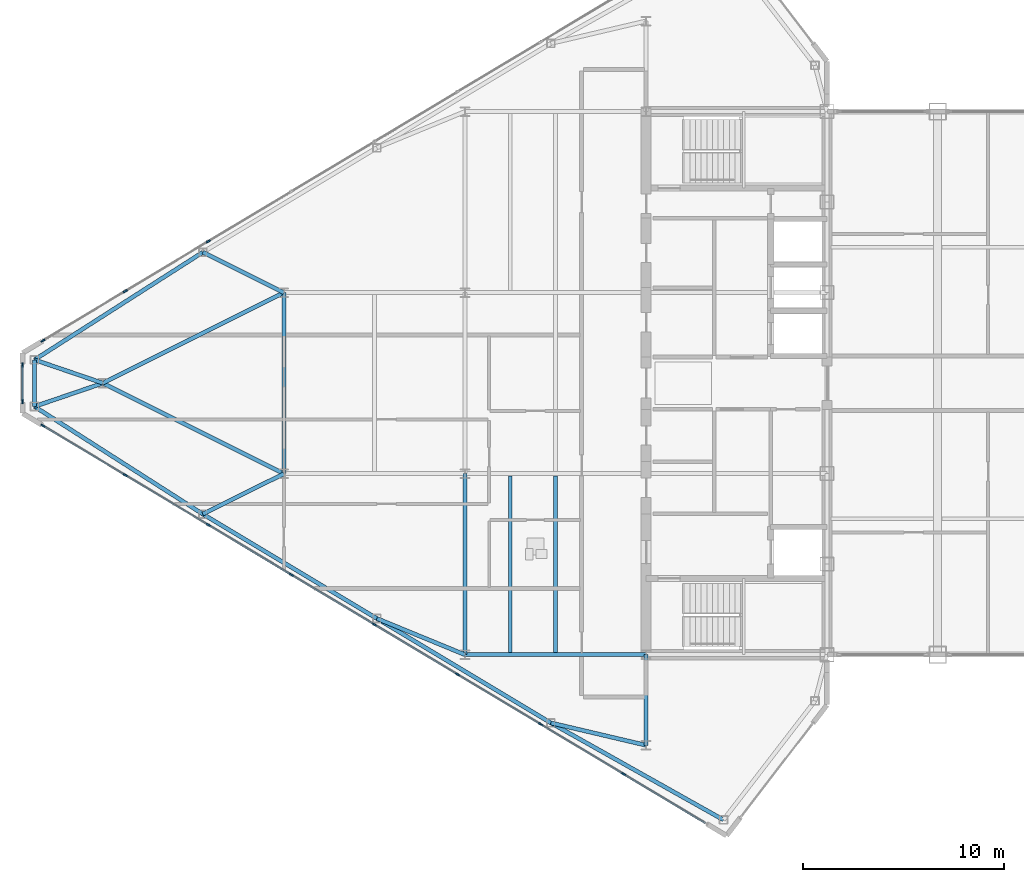
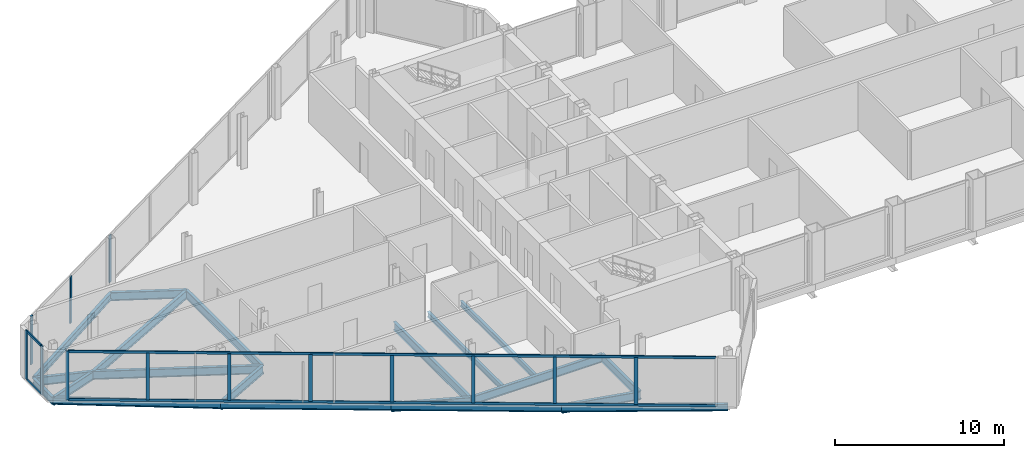
# One storey, part 8 of 29: 20 beams, 17 members, 3 elements without a shape of their own.
"""IFC4 building model written with IfcOpenShell, lengths in metres."""

from ifc_helpers import new_model, si_unit, direction, frame, origin, origin_2d, place, context, subcontext, project, spatial, rectangle, i_section, extrude, source, transform, mapped, material, layer, layer_set, material_profile, profile_set, type_object, type_shapes, element, aggregate, save


model = new_model("IFC4")

# Units and contexts
model_context = context("Model", 3, precision=1e-05, world=origin(), true_north=direction((0.0, 1.0)))
body_context = subcontext(model_context, "Body", "Model", "MODEL_VIEW")
ifc_project = project(units=[si_unit("LENGTHUNIT", "METRE"), si_unit("AREAUNIT", "SQUARE_METRE"), si_unit("VOLUMEUNIT", "CUBIC_METRE"), si_unit("PLANEANGLEUNIT", "RADIAN"), si_unit("MASSUNIT", "GRAM", prefix="KILO")], contexts=[model_context])

# Site, building, storey
site_placement = place(None, origin())
site = spatial("IfcSite", under=ifc_project, at=site_placement, CompositionType="ELEMENT")
building_placement = place(site_placement, origin())
building = spatial("IfcBuilding", under=site, at=building_placement, Name="Seokmaru Belvedere", CompositionType="ELEMENT")
storey_placement = place(building_placement, frame((0.0, 0.0, 254.39990234375)))
storey = spatial("IfcBuildingStorey", under=building, at=storey_placement, Name="L67", CompositionType="ELEMENT", Elevation=254.39990234375)

# Beams
ifc_material_1 = material(Name="Steel SM355 (355 MPa)", Category="steel")
ifc_material_profile_1 = material_profile(ifc_material_1, i_section(OverallWidth=0.199951171875, OverallDepth=0.60009765625, WebThickness=0.010986328125, FlangeThickness=0.01708984375, at=origin_2d()), Name="H-600x200x11x17")
ifc_profile_set_1 = profile_set([ifc_material_profile_1], Name="Steel SM355 (355 MPa)")
beam_type_1 = type_object("IfcBeamType", Name="Primary Floor Girder H-600", PredefinedType="BEAM", material=ifc_profile_set_1)
shared_shape_1 = source(origin(), body_context, "Body", "SweptSolid", [
    extrude(i_section(OverallWidth=0.199951171875, OverallDepth=0.60009765625, WebThickness=0.010986328125, FlangeThickness=0.01708984375, at=origin_2d()), origin(), (0.0, 0.0, 1.0), 9.0),
])
for number, where, z_axis, x_axis, name in (
    (1, (-45.5, -13.5, -0.52001953125), (0.0, 1.0, 0.0), (-1.0, 0.0, 0.0), "L67 W Interior Grid Girder 1"),
    (2, (-45.5, -13.5, -0.52001953125), (1.0, 0.0, 0.0), (0.0, 1.0, 0.0), "L67 W Wing Primary Girder 1"),
    (3, (-54.5, -4.5, -0.52001953125), (0.0, 1.0, 0.0), (-1.0, 0.0, 0.0), "L67 W Apex Frame Girder"),
):
    element("IfcBeam", number, at=place(storey_placement, frame(where, z_axis=z_axis, x_axis=x_axis)), inside=storey, type_object=beam_type_1, Name=name, PredefinedType="BEAM", context=body_context, shape_type="MappedRepresentation", body=[
        mapped(shared_shape_1, transform((0.0, 0.0, 0.0), scale=1.0)),
    ])
shared_shape_2 = source(origin(), body_context, "Body", "SweptSolid", [
    extrude(i_section(OverallWidth=0.199951171875, OverallDepth=0.60009765625, WebThickness=0.010986328125, FlangeThickness=0.01708984375, at=origin_2d()), origin(), (0.0, 0.0, 1.0), 10.062255859375),
])
for number, where, z_axis, x_axis, name in (
    (4, (-54.5, -4.5, -0.52001953125), (-0.894427191, 0.4472135955, 0.0), (-0.4472135955, -0.894427191, 0.0), "L67 W Apex Converging Girder 1"),
    (5, (-54.5, 4.5, -0.52001953125), (-0.894427191, -0.4472135955, 0.0), (0.4472135955, -0.894427191, 0.0), "L67 W Apex Converging Girder 2"),
):
    element("IfcBeam", number, at=place(storey_placement, frame(where, z_axis=z_axis, x_axis=x_axis)), inside=storey, type_object=beam_type_1, Name=name, PredefinedType="BEAM", context=body_context, shape_type="MappedRepresentation", body=[
        mapped(shared_shape_2, transform((0.0, 0.0, 0.0), scale=1.0)),
    ])
ifc_material_profile_2 = material_profile(ifc_material_1, i_section(OverallWidth=0.18505859375, OverallDepth=0.389892578125, WebThickness=0.008056640625, FlangeThickness=0.011962890625, at=origin_2d()), Name="H-390x185x8x12")
ifc_profile_set_2 = profile_set([ifc_material_profile_2], Name="Steel SM355 (355 MPa)")
beam_type_2 = type_object("IfcBeamType", Name="Secondary Floor Joist H-350", PredefinedType="JOIST", material=ifc_profile_set_2)
shared_shape_3 = source(origin(), body_context, "Body", "SweptSolid", [
    extrude(i_section(OverallWidth=0.18505859375, OverallDepth=0.389892578125, WebThickness=0.008056640625, FlangeThickness=0.011962890625, at=origin_2d()), origin(), (0.0, 0.0, 1.0), 8.7900390625),
])
type_shapes(beam_type_2, [shared_shape_3])
for number, where, z_axis, x_axis, name in (
    (6, (-43.25, -13.39501953125, -0.414794921875), (0.0, 1.0, 0.0), (-1.0, 0.0, 0.0), "L67 W Wing Inner Secondary Joist 1"),
    (7, (-41.0, -13.39501953125, -0.414794921875), (0.0, 1.0, 0.0), (-1.0, 0.0, 0.0), "L67 W Secondary Floor Joist 1"),
):
    element("IfcBeam", number, at=place(storey_placement, frame(where, z_axis=z_axis, x_axis=x_axis)), inside=storey, type_object=beam_type_2, Name=name, PredefinedType="JOIST", context=body_context, shape_type="MappedRepresentation", body=[
        mapped(shared_shape_3, transform((0.0, 0.0, 0.0), scale=1.0)),
    ])
shared_shape_4 = source(origin(), body_context, "Body", "SweptSolid", [
    extrude(i_section(OverallWidth=0.199951171875, OverallDepth=0.60009765625, WebThickness=0.010986328125, FlangeThickness=0.01708984375, at=origin_2d()), origin(), (0.0, 0.0, 1.0), 4.5),
])
beam_1_placement = place(storey_placement, frame((-36.5, -18.0, -0.52001953125), z_axis=(0.0, 1.0, 0.0), x_axis=(-1.0, 0.0, 0.0)))
element("IfcBeam", 8, at=beam_1_placement, inside=storey, type_object=beam_type_1, Name="L67 W Core Shoulder Girder S", PredefinedType="BEAM", context=body_context, shape_type="MappedRepresentation", body=[
    mapped(shared_shape_4, transform((0.0, 0.0, 0.0), scale=1.0)),
])
ifc_material_profile_3 = material_profile(ifc_material_1, i_section(OverallWidth=0.199951171875, OverallDepth=0.5, WebThickness=0.010009765625, FlangeThickness=0.01611328125, at=origin_2d()), Name="H-500x200x10x16")
ifc_profile_set_3 = profile_set([ifc_material_profile_3], Name="Steel SM355 (355 MPa)")
beam_type_3 = type_object("IfcBeamType", Name="Perimeter Spandrel Beam H-500", PredefinedType="SPANDREL", material=ifc_profile_set_3)
shared_shape_5 = source(origin(), body_context, "Body", "SweptSolid", [
    extrude(i_section(OverallWidth=0.199951171875, OverallDepth=0.5, WebThickness=0.010009765625, FlangeThickness=0.01611328125, at=origin_2d()), origin(), (0.0, 0.0, 1.0), 9.842041015625),
])
beam_2_placement = place(storey_placement, frame((-32.649658203125, -21.71044921875, -0.469970703125), z_axis=(-0.871782151818, 0.489893743349, 0.0), x_axis=(-0.489893743349, -0.871782151818, 0.0)))
element("IfcBeam", 9, at=beam_2_placement, inside=storey, type_object=beam_type_3, Name="L67 W Faceted Flank Spandrel S-1", PredefinedType="SPANDREL", context=body_context, shape_type="MappedRepresentation", body=[
    mapped(shared_shape_5, transform((0.0, 0.0, 0.0), scale=1.0)),
])
shared_shape_6 = source(origin(), body_context, "Body", "SweptSolid", [
    extrude(i_section(OverallWidth=0.199951171875, OverallDepth=0.5, WebThickness=0.010009765625, FlangeThickness=0.01611328125, at=origin_2d()), origin(), (0.0, 0.0, 1.0), 10.087646484375),
])
for number, where, z_axis, x_axis, name in (
    (10, (-41.229736328125, -16.888916015625, -0.469970703125), (-0.857499332045, 0.514485078056, 0.0), (-0.514485078056, -0.857499332045, 0.0), "L67 W Faceted Flank Spandrel S-2"),
    (11, (-49.8798828125, -11.698974609375, -0.469970703125), (-0.857488654804, 0.514502873542, 0.0), (-0.514502873542, -0.857488654804, 0.0), "L67 W Faceted Flank Spandrel S-3"),
):
    element("IfcBeam", number, at=place(storey_placement, frame(where, z_axis=z_axis, x_axis=x_axis)), inside=storey, type_object=beam_type_3, Name=name, PredefinedType="SPANDREL", context=body_context, shape_type="MappedRepresentation", body=[
        mapped(shared_shape_6, transform((0.0, 0.0, 0.0), scale=1.0)),
    ])
shared_shape_7 = source(origin(), body_context, "Body", "SweptSolid", [
    extrude(i_section(OverallWidth=0.199951171875, OverallDepth=0.5, WebThickness=0.010009765625, FlangeThickness=0.01611328125, at=origin_2d()), origin(), (0.0, 0.0, 1.0), 9.932861328125),
])
for number, where, z_axis, x_axis, name in (
    (12, (-58.530029296875, -6.5087890625, -0.469970703125), (-0.842651960357, 0.538458609093, 0.0), (-0.538458609093, -0.842651960357, 0.0), "L67 W Faceted Flank Spandrel S-4"),
    (13, (-58.530029296875, 6.5087890625, -0.469970703125), (-0.842651960357, -0.538458609093, 0.0), (0.538458609093, -0.842651960357, 0.0), "L67 W Faceted Flank Spandrel N-4"),
):
    element("IfcBeam", number, at=place(storey_placement, frame(where, z_axis=z_axis, x_axis=x_axis)), inside=storey, type_object=beam_type_3, Name=name, PredefinedType="SPANDREL", context=body_context, shape_type="MappedRepresentation", body=[
        mapped(shared_shape_7, transform((0.0, 0.0, 0.0), scale=1.0)),
    ])
shared_shape_8 = source(origin(), body_context, "Body", "SweptSolid", [
    extrude(i_section(OverallWidth=0.199951171875, OverallDepth=0.5, WebThickness=0.010009765625, FlangeThickness=0.01611328125, at=origin_2d()), origin(), (0.0, 0.0, 1.0), 2.32080078125),
])
type_shapes(beam_type_3, [shared_shape_5, shared_shape_6, shared_shape_7, shared_shape_8])
beam_3_placement = place(storey_placement, frame((-66.89990234375, -1.160400390625, -0.469970703125), z_axis=(0.0, 1.0, 0.0), x_axis=(-1.0, 0.0, 0.0)))
element("IfcBeam", 14, at=beam_3_placement, inside=storey, type_object=beam_type_3, Name="L67 W Faceted Apex Spandrel", PredefinedType="SPANDREL", context=body_context, shape_type="MappedRepresentation", body=[
    mapped(shared_shape_8, transform((0.0, 0.0, 0.0), scale=1.0)),
])
shared_shape_9 = source(origin(), body_context, "Body", "SweptSolid", [
    extrude(i_section(OverallWidth=0.199951171875, OverallDepth=0.60009765625, WebThickness=0.010986328125, FlangeThickness=0.01708984375, at=origin_2d()), origin(), (0.0, 0.0, 1.0), 4.8583984375),
])
beam_4_placement = place(storey_placement, frame((-41.229736328125, -16.888916015625, -0.52001953125), z_axis=(0.97349948295, -0.228689214211, 0.0), x_axis=(0.228689214211, 0.97349948295, 0.0)))
element("IfcBeam", 15, at=beam_4_placement, inside=storey, type_object=beam_type_1, Name="L67 W Flank Radial Floor Girder S-1", PredefinedType="BEAM", context=body_context, shape_type="MappedRepresentation", body=[
    mapped(shared_shape_9, transform((0.0, 0.0, 0.0), scale=1.0)),
])
shared_shape_10 = source(origin(), body_context, "Body", "SweptSolid", [
    extrude(i_section(OverallWidth=0.199951171875, OverallDepth=0.60009765625, WebThickness=0.010986328125, FlangeThickness=0.01708984375, at=origin_2d()), origin(), (0.0, 0.0, 1.0), 4.73583984375),
])
beam_5_placement = place(storey_placement, frame((-49.8798828125, -11.698974609375, -0.52001953125), z_axis=(0.924860562953, -0.380306375301, 0.0), x_axis=(0.380306375301, 0.924860562953, 0.0)))
element("IfcBeam", 16, at=beam_5_placement, inside=storey, type_object=beam_type_1, Name="L67 W Flank Radial Floor Girder S-2", PredefinedType="BEAM", context=body_context, shape_type="MappedRepresentation", body=[
    mapped(shared_shape_10, transform((0.0, 0.0, 0.0), scale=1.0)),
])
shared_shape_11 = source(origin(), body_context, "Body", "SweptSolid", [
    extrude(i_section(OverallWidth=0.199951171875, OverallDepth=0.60009765625, WebThickness=0.010986328125, FlangeThickness=0.01708984375, at=origin_2d()), origin(), (0.0, 0.0, 1.0), 4.5029296875),
])
for number, where, z_axis, x_axis, name in (
    (17, (-58.530029296875, -6.5087890625, -0.52001953125), (0.894979532585, 0.446107202648, 0.0), (-0.446107202648, 0.894979532585, 0.0), "L67 W Flank Radial Floor Girder S-3"),
    (18, (-58.530029296875, 6.5087890625, -0.52001953125), (0.894979532585, -0.446107202648, 0.0), (0.446107202648, 0.894979532585, 0.0), "L67 W Flank Radial Floor Girder N-3"),
):
    element("IfcBeam", number, at=place(storey_placement, frame(where, z_axis=z_axis, x_axis=x_axis)), inside=storey, type_object=beam_type_1, Name=name, PredefinedType="BEAM", context=body_context, shape_type="MappedRepresentation", body=[
        mapped(shared_shape_11, transform((0.0, 0.0, 0.0), scale=1.0)),
    ])
shared_shape_12 = source(origin(), body_context, "Body", "SweptSolid", [
    extrude(i_section(OverallWidth=0.199951171875, OverallDepth=0.60009765625, WebThickness=0.010986328125, FlangeThickness=0.01708984375, at=origin_2d()), origin(), (0.0, 0.0, 1.0), 3.592529296875),
])
type_shapes(beam_type_1, [shared_shape_1, shared_shape_2, shared_shape_4, shared_shape_9, shared_shape_10, shared_shape_11, shared_shape_12])
for number, where, z_axis, x_axis, name in (
    (19, (-66.89990234375, -1.160400390625, -0.52001953125), (0.946395973048, 0.323008764893, 0.0), (-0.323008764893, 0.946395973048, 0.0), "L67 W Apex Radial Floor Girder 1"),
    (20, (-66.89990234375, 1.160400390625, -0.52001953125), (0.946395973048, -0.323008764893, 0.0), (0.323008764893, 0.946395973048, 0.0), "L67 W Apex Radial Floor Girder 2"),
):
    element("IfcBeam", number, at=place(storey_placement, frame(where, z_axis=z_axis, x_axis=x_axis)), inside=storey, type_object=beam_type_1, Name=name, PredefinedType="BEAM", context=body_context, shape_type="MappedRepresentation", body=[
        mapped(shared_shape_12, transform((0.0, 0.0, 0.0), scale=1.0)),
    ])

# Curtain wall, members
ifc_material_2 = material(Name="Bronze Triple Insulating Glass", Category="glass")
ifc_layer = layer(ifc_material_2, 0.219970703125)
ifc_layer_set = layer_set([ifc_layer], Name="Bronze Triple Insulating Glass")
curtain_wall_type = type_object("IfcCurtainWallType", Name="Sky-Gate Bridge Panorama Curtain Wall System CW-6", PredefinedType="NOTDEFINED", material=ifc_layer_set)
curtain_wall_1_placement = place(storey_placement, origin())
curtain_wall_1 = element("IfcCurtainWall", 21, at=curtain_wall_1_placement, inside=storey, type_object=curtain_wall_type, Name="L67 Curtain Wall WF5", PredefinedType="NOTDEFINED")
ifc_material_3 = material(Name="Anodised Bronze Aluminium", Category="aluminium")
ifc_material_profile_4 = material_profile(ifc_material_3, rectangle(XDim=0.074951171875, YDim=0.179931640625, at=origin_2d()), Name="CW-T-75x180")
ifc_profile_set_4 = profile_set([ifc_material_profile_4], Name="Anodised Bronze Aluminium")
member_type_1 = type_object("IfcMemberType", Name="Bronze Unitised Transom 75x180", PredefinedType="USERDEFINED", material=ifc_profile_set_4)
shared_shape_13 = source(origin(), body_context, "Body", "SweptSolid", [
    extrude(rectangle(XDim=0.074951171875, YDim=0.179931640625, at=origin_2d()), origin(), (0.0, 0.0, 1.0), 38.356689453125),
])
member_1_placement = place(storey_placement, frame((-66.4453125, -2.1328125, 0.03759765625), z_axis=(0.857492925713, -0.514495755428, 0.0), x_axis=(0.514495755428, 0.857492925713, 0.0)))
member_1 = element("IfcMember", 22, at=member_1_placement, type_object=member_type_1, Name="CW:L67:WF5 Continuous Transom 1", ObjectType="TRANSOM", PredefinedType="USERDEFINED", context=body_context, shape_type="MappedRepresentation", body=[
    mapped(shared_shape_13, transform((0.0, 0.0, 0.0), scale=1.0)),
])
member_2_placement = place(storey_placement, frame((-66.4453125, -2.1328125, 3.49267578125), z_axis=(0.857492925713, -0.514495755428, 0.0), x_axis=(0.514495755428, 0.857492925713, 0.0)))
member_2 = element("IfcMember", 23, at=member_2_placement, type_object=member_type_1, Name="CW:L67:WF5 Continuous Transom 2", ObjectType="TRANSOM", PredefinedType="USERDEFINED", context=body_context, shape_type="MappedRepresentation", body=[
    mapped(shared_shape_13, transform((0.0, 0.0, 0.0), scale=1.0)),
])

curtain_wall_2_placement = place(storey_placement, origin())
curtain_wall_2 = element("IfcCurtainWall", 24, at=curtain_wall_2_placement, inside=storey, type_object=curtain_wall_type, Name="L67 Curtain Wall WF4", PredefinedType="NOTDEFINED")
shared_shape_14 = source(origin(), body_context, "Body", "SweptSolid", [
    extrude(rectangle(XDim=0.074951171875, YDim=0.179931640625, at=origin_2d()), origin(), (0.0, 0.0, 1.0), 1.740234375),
])
type_shapes(member_type_1, [shared_shape_13, shared_shape_14])
member_3_placement = place(storey_placement, frame((-67.5, 0.8701171875, 0.03759765625), z_axis=(0.0, -1.0, 0.0), x_axis=(1.0, 0.0, 0.0)))
member_3 = element("IfcMember", 25, at=member_3_placement, type_object=member_type_1, Name="CW:L67:WF4 Continuous Transom 1", ObjectType="TRANSOM", PredefinedType="USERDEFINED", context=body_context, shape_type="MappedRepresentation", body=[
    mapped(shared_shape_14, transform((0.0, 0.0, 0.0), scale=1.0)),
])
member_4_placement = place(storey_placement, frame((-67.5, 0.8701171875, 3.49267578125), z_axis=(0.0, -1.0, 0.0), x_axis=(1.0, 0.0, 0.0)))
member_4 = element("IfcMember", 26, at=member_4_placement, type_object=member_type_1, Name="CW:L67:WF4 Continuous Transom 2", ObjectType="TRANSOM", PredefinedType="USERDEFINED", context=body_context, shape_type="MappedRepresentation", body=[
    mapped(shared_shape_14, transform((0.0, 0.0, 0.0), scale=1.0)),
])

# Curtain wall, member
curtain_wall_3_placement = place(storey_placement, origin())
curtain_wall_3 = element("IfcCurtainWall", 27, at=curtain_wall_3_placement, inside=storey, type_object=curtain_wall_type, Name="L67 Curtain Wall WF3", PredefinedType="NOTDEFINED")
ifc_material_profile_5 = material_profile(ifc_material_3, rectangle(XDim=0.080078125, YDim=0.219970703125, at=origin_2d()), Name="CW-M-80x220")
ifc_profile_set_5 = profile_set([ifc_material_profile_5], Name="Anodised Bronze Aluminium")
member_type_2 = type_object("IfcMemberType", Name="Bronze Unitised Mullion 80x220", PredefinedType="MULLION", material=ifc_profile_set_5)
shared_shape_15 = source(origin(), body_context, "Body", "SweptSolid", [
    extrude(rectangle(XDim=0.080078125, YDim=0.219970703125, at=origin_2d()), origin(), (0.0, 0.0, 1.0), 3.530029296875),
])
member_5_placement = place(storey_placement, frame((-66.4794921875, 2.1123046875, 0.0), z_axis=(0.0, 0.0, 1.0), x_axis=(0.514494909364, -0.85749343335, 0.0)))
member_5 = element("IfcMember", 28, at=member_5_placement, type_object=member_type_2, Name="CW:L67:WF3 Mullion 9", PredefinedType="MULLION", context=body_context, shape_type="MappedRepresentation", body=[
    mapped(shared_shape_15, transform((0.0, 0.0, 0.0), scale=1.0)),
])

# Member
member_6_placement = place(storey_placement, frame((-67.5, 0.909912109375, 0.0), z_axis=(0.0, 0.0, 1.0), x_axis=(1.0, 0.0, 0.0)))
member_6 = element("IfcMember", 29, at=member_6_placement, type_object=member_type_2, Name="CW:L67:WF4 Mullion 1", PredefinedType="MULLION", context=body_context, shape_type="MappedRepresentation", body=[
    mapped(shared_shape_15, transform((0.0, 0.0, 0.0), scale=1.0)),
])

member_7_placement = place(storey_placement, frame((-67.5, -0.909912109375, 0.0), z_axis=(0.0, 0.0, 1.0), x_axis=(1.0, 0.0, 0.0)))
member_7 = element("IfcMember", 30, at=member_7_placement, type_object=member_type_2, Name="CW:L67:WF4 Mullion 2", PredefinedType="MULLION", context=body_context, shape_type="MappedRepresentation", body=[
    mapped(shared_shape_15, transform((0.0, 0.0, 0.0), scale=1.0)),
])

aggregate(curtain_wall_2, [member_6, member_7, member_3, member_4])

member_8_placement = place(storey_placement, frame((-66.4794921875, -2.1123046875, 0.0), z_axis=(0.0, 0.0, 1.0), x_axis=(0.514494909364, 0.85749343335, 0.0)))
member_8 = element("IfcMember", 31, at=member_8_placement, type_object=member_type_2, Name="CW:L67:WF5 Mullion 1", PredefinedType="MULLION", context=body_context, shape_type="MappedRepresentation", body=[
    mapped(shared_shape_15, transform((0.0, 0.0, 0.0), scale=1.0)),
])

shared_shape_16 = source(origin(), body_context, "Body", "SweptSolid", [
    extrude(rectangle(XDim=0.080078125, YDim=0.219970703125, at=origin_2d()), origin(), (0.0, 0.0, 1.0), 3.3798828125),
])
type_shapes(member_type_2, [shared_shape_15, shared_shape_16])
member_9_placement = place(storey_placement, frame((-58.257080078125, 7.0458984375, 0.0751953125), z_axis=(0.0, 0.0, 1.0), x_axis=(0.514494909364, -0.85749343335, 0.0)))
member_9 = element("IfcMember", 32, at=member_9_placement, type_object=member_type_2, Name="CW:L67:WF3 Mullion 7", PredefinedType="MULLION", context=body_context, shape_type="MappedRepresentation", body=[
    mapped(shared_shape_16, transform((0.0, 0.0, 0.0), scale=1.0)),
])

member_10_placement = place(storey_placement, frame((-62.385498046875, 4.56884765625, 0.0751953125), z_axis=(0.0, 0.0, 1.0), x_axis=(0.514494909364, -0.85749343335, 0.0)))
member_10 = element("IfcMember", 33, at=member_10_placement, type_object=member_type_2, Name="CW:L67:WF3 Mullion 8", PredefinedType="MULLION", context=body_context, shape_type="MappedRepresentation", body=[
    mapped(shared_shape_16, transform((0.0, 0.0, 0.0), scale=1.0)),
])

aggregate(curtain_wall_3, [member_9, member_10, member_5])

member_11_placement = place(storey_placement, frame((-62.385498046875, -4.56884765625, 0.0751953125), z_axis=(0.0, 0.0, 1.0), x_axis=(0.514494909364, 0.85749343335, 0.0)))
member_11 = element("IfcMember", 34, at=member_11_placement, type_object=member_type_2, Name="CW:L67:WF5 Mullion 2", PredefinedType="MULLION", context=body_context, shape_type="MappedRepresentation", body=[
    mapped(shared_shape_16, transform((0.0, 0.0, 0.0), scale=1.0)),
])

member_12_placement = place(storey_placement, frame((-58.257080078125, -7.0458984375, 0.0751953125), z_axis=(0.0, 0.0, 1.0), x_axis=(0.514494909364, 0.85749343335, 0.0)))
member_12 = element("IfcMember", 35, at=member_12_placement, type_object=member_type_2, Name="CW:L67:WF5 Mullion 3", PredefinedType="MULLION", context=body_context, shape_type="MappedRepresentation", body=[
    mapped(shared_shape_16, transform((0.0, 0.0, 0.0), scale=1.0)),
])

member_13_placement = place(storey_placement, frame((-54.12841796875, -9.52294921875, 0.0751953125), z_axis=(0.0, 0.0, 1.0), x_axis=(0.514494909364, 0.85749343335, 0.0)))
member_13 = element("IfcMember", 36, at=member_13_placement, type_object=member_type_2, Name="CW:L67:WF5 Mullion 4", PredefinedType="MULLION", context=body_context, shape_type="MappedRepresentation", body=[
    mapped(shared_shape_16, transform((0.0, 0.0, 0.0), scale=1.0)),
])

member_14_placement = place(storey_placement, frame((-50.0, -12.0, 0.0751953125), z_axis=(0.0, 0.0, 1.0), x_axis=(0.514494909364, 0.85749343335, 0.0)))
member_14 = element("IfcMember", 37, at=member_14_placement, type_object=member_type_2, Name="CW:L67:WF5 Mullion 5", PredefinedType="MULLION", context=body_context, shape_type="MappedRepresentation", body=[
    mapped(shared_shape_16, transform((0.0, 0.0, 0.0), scale=1.0)),
])

member_15_placement = place(storey_placement, frame((-45.87158203125, -14.47705078125, 0.0751953125), z_axis=(0.0, 0.0, 1.0), x_axis=(0.514494909364, 0.85749343335, 0.0)))
member_15 = element("IfcMember", 38, at=member_15_placement, type_object=member_type_2, Name="CW:L67:WF5 Mullion 6", PredefinedType="MULLION", context=body_context, shape_type="MappedRepresentation", body=[
    mapped(shared_shape_16, transform((0.0, 0.0, 0.0), scale=1.0)),
])

member_16_placement = place(storey_placement, frame((-41.742919921875, -16.9541015625, 0.0751953125), z_axis=(0.0, 0.0, 1.0), x_axis=(0.514494909364, 0.85749343335, 0.0)))
member_16 = element("IfcMember", 39, at=member_16_placement, type_object=member_type_2, Name="CW:L67:WF5 Mullion 7", PredefinedType="MULLION", context=body_context, shape_type="MappedRepresentation", body=[
    mapped(shared_shape_16, transform((0.0, 0.0, 0.0), scale=1.0)),
])

member_17_placement = place(storey_placement, frame((-37.614501953125, -19.43115234375, 0.0751953125), z_axis=(0.0, 0.0, 1.0), x_axis=(0.514494909364, 0.85749343335, 0.0)))
member_17 = element("IfcMember", 40, at=member_17_placement, type_object=member_type_2, Name="CW:L67:WF5 Mullion 8", PredefinedType="MULLION", context=body_context, shape_type="MappedRepresentation", body=[
    mapped(shared_shape_16, transform((0.0, 0.0, 0.0), scale=1.0)),
])

aggregate(curtain_wall_1, [member_8, member_11, member_12, member_13, member_14, member_15, member_16, member_17, member_1, member_2])

save(model, "model.ifc")
